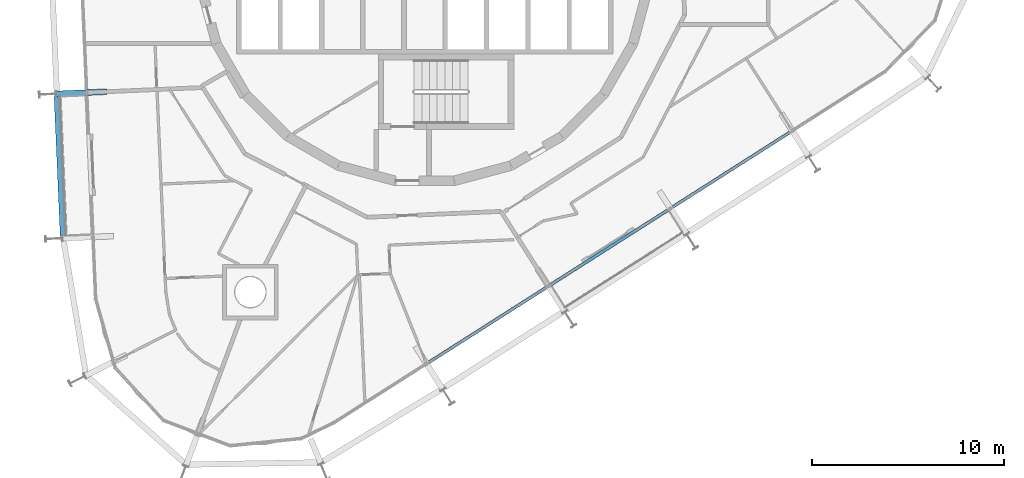
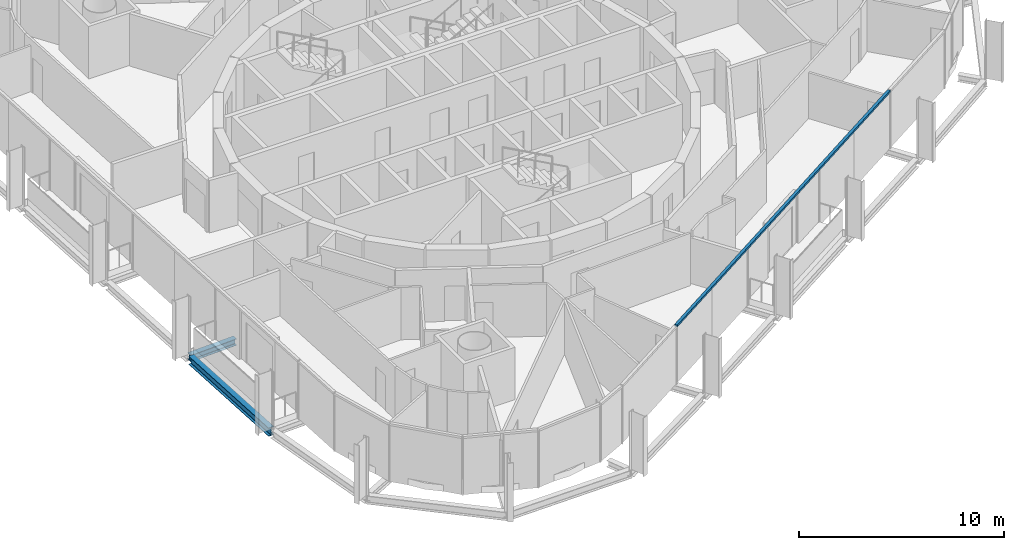
# One storey, part 3 of 17: 2 beams, 1 member, 1 element without a shape of its own.
"""IFC4 building model written with IfcOpenShell, lengths in metres."""

from ifc_helpers import new_model, si_unit, direction, frame, origin, origin_2d, place, context, subcontext, project, spatial, rectangle, i_section, extrude, material, layer, layer_set, material_profile, profile_set, type_object, element, aggregate, save


model = new_model("IFC4")

# Units and contexts
model_context = context("Model", 3, precision=1e-05, world=origin(), true_north=direction((0.0, 1.0)))
body_context = subcontext(model_context, "Body", "Model", "MODEL_VIEW")
ifc_project = project(units=[si_unit("LENGTHUNIT", "METRE"), si_unit("AREAUNIT", "SQUARE_METRE"), si_unit("VOLUMEUNIT", "CUBIC_METRE"), si_unit("PLANEANGLEUNIT", "RADIAN"), si_unit("MASSUNIT", "GRAM", prefix="KILO")], contexts=[model_context])

# Site, building, storey
site_placement = place(None, origin())
site = spatial("IfcSite", under=ifc_project, at=site_placement, CompositionType="ELEMENT")
building_placement = place(site_placement, origin())
building = spatial("IfcBuilding", under=site, at=building_placement, Name="Spindle Arch Residences", CompositionType="ELEMENT")
storey_placement = place(building_placement, frame((0.0, 0.0, 244.199951171875)))
storey = spatial("IfcBuildingStorey", under=building, at=storey_placement, Name="L62", CompositionType="ELEMENT", Elevation=244.199951171875)

# Curtain wall, member
ifc_material_1 = material(Name="Aluminium bronze unitised frame with tinted glass", Category="aluminium")
ifc_layer = layer(ifc_material_1, 0.159912109375)
ifc_layer_set = layer_set([ifc_layer], Name="CW-C typical residential unitised wall")
curtain_wall_type = type_object("IfcCurtainWallType", Name="CW-C typical residential unitised wall", PredefinedType="NOTDEFINED", material=ifc_layer_set)
curtain_wall_placement = place(storey_placement, origin())
curtain_wall = element("IfcCurtainWall", 1, at=curtain_wall_placement, inside=storey, type_object=curtain_wall_type, Name="CW-C L62 run 6", PredefinedType="NOTDEFINED")
ifc_material_2 = material(Name="Aluminium bronze anodised transom", Category="aluminium")
ifc_material_profile_1 = material_profile(ifc_material_2, rectangle(XDim=0.159912109375, YDim=0.1201171875, at=origin_2d()), Name="TR 120x160")
ifc_profile_set_1 = profile_set([ifc_material_profile_1], Name="Aluminium bronze anodised transom")
member_type = type_object("IfcMemberType", Name="Bronze transom 120x160", PredefinedType="USERDEFINED", material=ifc_profile_set_1)
member_placement = place(storey_placement, frame((0.12451171875, -21.16162109375, 3.06005859375), z_axis=(0.84339053968, 0.537301030688, 0.0), x_axis=(-0.537301030688, 0.84339053968, 0.0)))
member = element("IfcMember", 2, at=member_placement, type_object=member_type, Name="CW-C transom 00", ObjectType="TRANSOM", PredefinedType="USERDEFINED", context=body_context, shape_type="SweptSolid", body=[
    extrude(rectangle(XDim=0.159912109375, YDim=0.1201171875, at=origin_2d()), origin(), (0.0, 0.0, 1.0), 22.530029296875),
])
aggregate(curtain_wall, [member])

# Beams
ifc_material_3 = material(Name="Steel S460ML, intumescent coating R 120", Category="steel")
ifc_material_profile_2 = material_profile(ifc_material_3, i_section(OverallWidth=0.300048828125, OverallDepth=0.5, WebThickness=0.014404296875, FlangeThickness=0.028076171875, FilletRadius=0.027099609375, at=origin_2d()), Name="HEB 500")
ifc_profile_set_2 = profile_set([ifc_material_profile_2], Name="Steel S460ML, intumescent coating R 120")
beam_type_1 = type_object("IfcBeamType", Name="Exoskeleton edge beam HEB 500", PredefinedType="BEAM", material=ifc_profile_set_2)
beam_1_placement = place(storey_placement, frame((-19.156494140625, -7.24755859375, -0.6298828125), z_axis=(0.043622301665, -0.999048094337, 0.0), x_axis=(0.999048094337, 0.043622301665, 0.0)))
element("IfcBeam", 3, at=beam_1_placement, inside=storey, type_object=beam_type_1, Name="Exoskeleton edge beam 16", PredefinedType="BEAM", context=body_context, shape_type="SweptSolid", body=[
    extrude(i_section(OverallWidth=0.300048828125, OverallDepth=0.5, WebThickness=0.014404296875, FlangeThickness=0.028076171875, FilletRadius=0.027099609375, at=origin_2d()), origin(), (0.0, 0.0, 1.0), 7.27001953125),
])
ifc_material_4 = material(Name="Steel S460ML, intumescent coating R 120", Category="steel")
ifc_material_profile_3 = material_profile(ifc_material_4, i_section(OverallWidth=0.300048828125, OverallDepth=0.389892578125, WebThickness=0.010986328125, FlangeThickness=0.01904296875, FilletRadius=0.027099609375, at=origin_2d()), Name="HEA 400")
ifc_profile_set_3 = profile_set([ifc_material_profile_3], Name="Steel S460ML, intumescent coating R 120")
beam_type_2 = type_object("IfcBeamType", Name="Floor outrigger HEA 400", PredefinedType="BEAM", material=ifc_profile_set_3)
beam_2_placement = place(storey_placement, frame((-19.192138671875, -7.118896484375, -0.574951171875), z_axis=(0.999050064545, 0.04357715608, 0.0), x_axis=(-0.04357715608, 0.999050064545, 0.0)))
element("IfcBeam", 4, at=beam_2_placement, inside=storey, type_object=beam_type_2, Name="Floor outrigger 16", PredefinedType="BEAM", context=body_context, shape_type="SweptSolid", body=[
    extrude(i_section(OverallWidth=0.300048828125, OverallDepth=0.389892578125, WebThickness=0.010986328125, FlangeThickness=0.01904296875, FilletRadius=0.027099609375, at=origin_2d()), origin(), (0.0, 0.0, 1.0), 2.64990234375),
])

save(model, "model.ifc")
